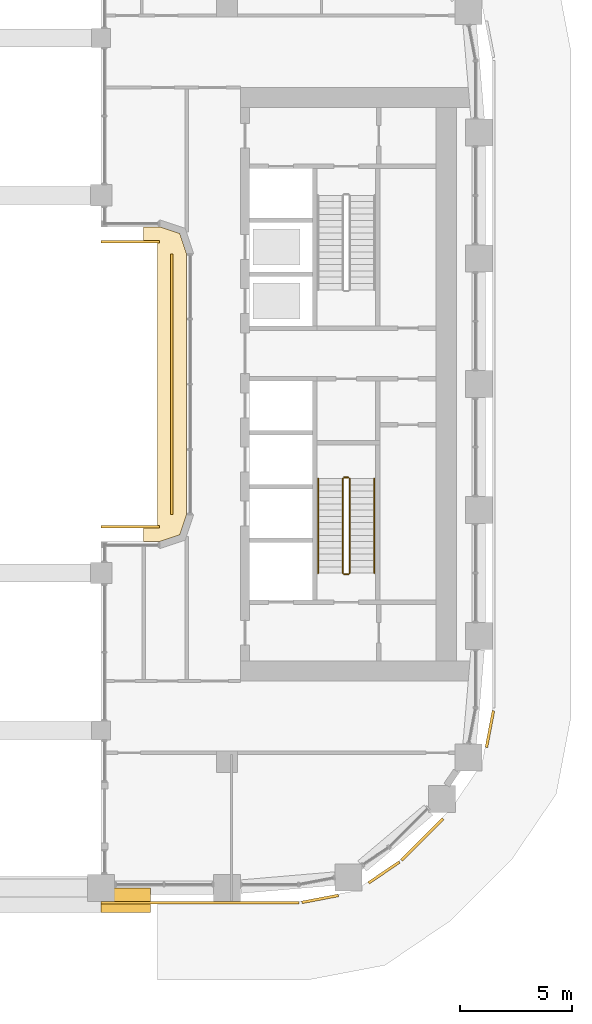
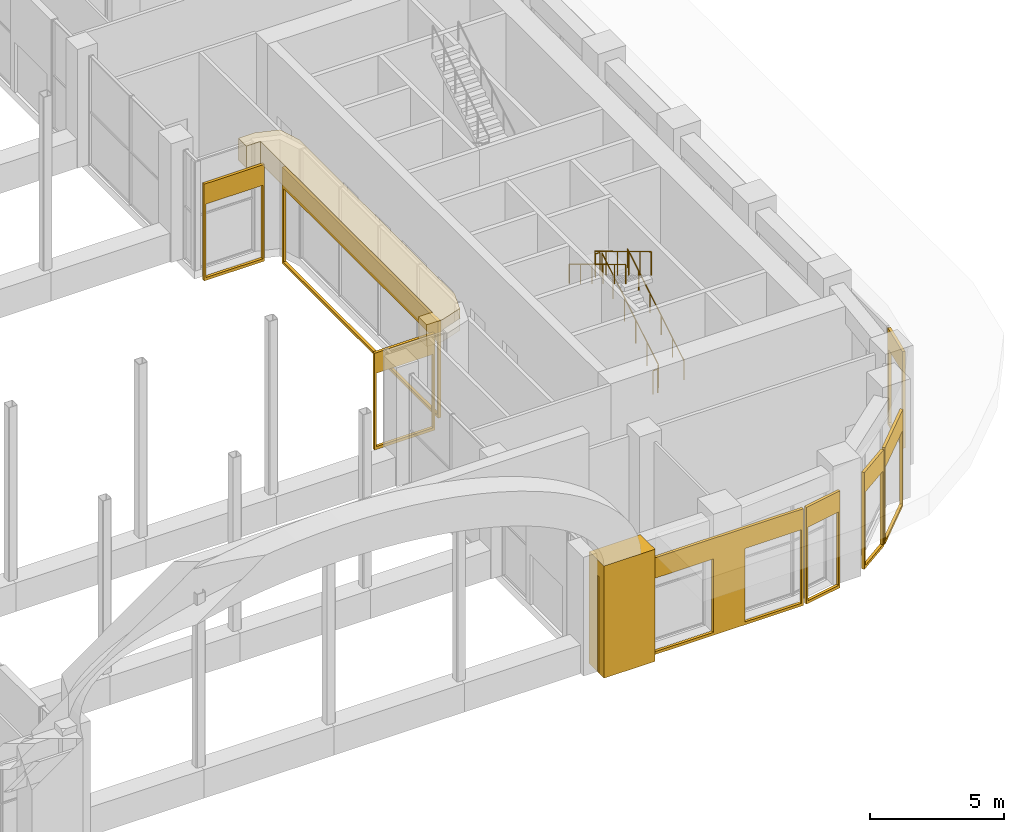
# One storey, part 24 of 28: 10 coverings, 6 railings.
"""IFC4 building model written with IfcOpenShell, lengths in metres."""

from ifc_helpers import new_model, si_unit, direction, frame, origin, origin_2d, place, context, subcontext, project, spatial, polyline, rectangle, circle, outline, extrude, material, layer, layer_set, type_object, element, save


model = new_model("IFC4")

# Units and contexts
model_context = context("Model", 3, precision=1e-05, world=origin(), true_north=direction((0.0, 1.0)))
body_context = subcontext(model_context, "Body", "Model", "MODEL_VIEW")
ifc_project = project(units=[si_unit("LENGTHUNIT", "METRE"), si_unit("AREAUNIT", "SQUARE_METRE"), si_unit("VOLUMEUNIT", "CUBIC_METRE"), si_unit("PLANEANGLEUNIT", "RADIAN"), si_unit("MASSUNIT", "GRAM", prefix="KILO")], contexts=[model_context])

# Site, building, storey
site_placement = place(None, origin())
site = spatial("IfcSite", under=ifc_project, at=site_placement, CompositionType="ELEMENT")
building_placement = place(site_placement, origin())
building = spatial("IfcBuilding", under=site, at=building_placement, Name="Kiln Ring Residences", CompositionType="ELEMENT")
storey_placement = place(building_placement, frame((0.0, 0.0, 125.300048828125)))
storey = spatial("IfcBuildingStorey", under=building, at=storey_placement, Name="L32", CompositionType="ELEMENT", Elevation=125.300048828125)

# Railings
ifc_material_1 = material(Name="Stainless steel", Category="steel")
railing_type_1 = type_object("IfcRailingType", Name="CORE-STAIR-GUARD", PredefinedType="GUARDRAIL", material=ifc_material_1)
railing_1_placement = place(storey_placement, frame((22.25, -8.39990234375, 0.168701171875)))
element("IfcRailing", 1, at=railing_1_placement, inside=storey, type_object=railing_type_1, Name="L32 E-STS stair guard 1", PredefinedType="GUARDRAIL", context=body_context, shape_type="SweptSolid", body=[
    extrude(circle(Radius=0.02392578125, at=origin_2d()), frame((0.0, 0.0, 1.076171875), z_axis=(0.0, 0.856476492594, 0.516186030065), x_axis=(-1.0, 0.0, 0.0)), (0.0, 0.0, 1.0), 4.90380859375),
    extrude(circle(Radius=0.02099609375, at=origin_2d()), origin(), (0.0, 0.0, 1.0), 1.052001953125),
    extrude(circle(Radius=0.02099609375, at=origin_2d()), frame((0.0, 0.840087890625, 0.50634765625)), (0.0, 0.0, 1.0), 1.052001953125),
    extrude(circle(Radius=0.02099609375, at=origin_2d()), frame((0.0, 1.679931640625, 1.012451171875)), (0.0, 0.0, 1.0), 1.052001953125),
    extrude(circle(Radius=0.02099609375, at=origin_2d()), frame((0.0, 2.52001953125, 1.518798828125)), (0.0, 0.0, 1.0), 1.052001953125),
    extrude(circle(Radius=0.02099609375, at=origin_2d()), frame((0.0, 3.35986328125, 2.02490234375)), (0.0, 0.0, 1.0), 1.052001953125),
    extrude(circle(Radius=0.02099609375, at=origin_2d()), frame((0.0, 4.199951171875, 2.53125)), (0.0, 0.0, 1.0), 1.052001953125),
])
railing_2_placement = place(storey_placement, frame((22.199951171875, -4.14990234375, 2.699951171875)))
element("IfcRailing", 2, at=railing_2_placement, inside=storey, type_object=railing_type_1, Name="L32 E-STS stair guard 2", PredefinedType="GUARDRAIL", context=body_context, shape_type="SweptSolid", body=[
    extrude(circle(Radius=0.02392578125, at=origin_2d()), frame((0.0, 0.0, 1.076171875), z_axis=(-1.0, 0.0, 0.0), x_axis=(0.0, -1.0, 0.0)), (0.0, 0.0, 1.0), 0.199951171875),
    extrude(circle(Radius=0.02099609375, at=origin_2d()), origin(), (0.0, 0.0, 1.0), 1.052001953125),
    extrude(circle(Radius=0.02099609375, at=origin_2d()), frame((-0.199951171875, 0.0, 0.0)), (0.0, 0.0, 1.0), 1.052001953125),
])
railing_3_placement = place(storey_placement, frame((21.949951171875, -4.199951171875, 2.86865234375)))
element("IfcRailing", 3, at=railing_3_placement, inside=storey, type_object=railing_type_1, Name="L32 E-STS stair guard 3", PredefinedType="GUARDRAIL", context=body_context, shape_type="SweptSolid", body=[
    extrude(circle(Radius=0.02392578125, at=origin_2d()), frame((0.0, 0.0, 1.076171875), z_axis=(0.0, -0.856476492594, 0.516186030065), x_axis=(1.0, 0.0, 0.0)), (0.0, 0.0, 1.0), 4.90380859375),
    extrude(circle(Radius=0.02099609375, at=origin_2d()), origin(), (0.0, 0.0, 1.0), 1.052001953125),
    extrude(circle(Radius=0.02099609375, at=origin_2d()), frame((0.0, -0.840087890625, 0.50634765625)), (0.0, 0.0, 1.0), 1.052001953125),
    extrude(circle(Radius=0.02099609375, at=origin_2d()), frame((0.0, -1.679931640625, 1.012451171875)), (0.0, 0.0, 1.0), 1.052001953125),
    extrude(circle(Radius=0.02099609375, at=origin_2d()), frame((0.0, -2.52001953125, 1.518798828125)), (0.0, 0.0, 1.0), 1.052001953125),
    extrude(circle(Radius=0.02099609375, at=origin_2d()), frame((0.0, -3.35986328125, 2.02490234375)), (0.0, 0.0, 1.0), 1.052001953125),
    extrude(circle(Radius=0.02099609375, at=origin_2d()), frame((0.0, -4.199951171875, 2.53125)), (0.0, 0.0, 1.0), 1.052001953125),
])
railing_4_placement = place(storey_placement, frame((22.199951171875, -8.449951171875, 0.0)))
element("IfcRailing", 4, at=railing_4_placement, inside=storey, type_object=railing_type_1, Name="L32 E-STS stair guard 4", PredefinedType="GUARDRAIL", context=body_context, shape_type="SweptSolid", body=[
    extrude(circle(Radius=0.02392578125, at=origin_2d()), frame((0.0, 0.0, 1.076171875), z_axis=(-1.0, 0.0, 0.0), x_axis=(0.0, -1.0, 0.0)), (0.0, 0.0, 1.0), 0.199951171875),
    extrude(circle(Radius=0.02099609375, at=origin_2d()), origin(), (0.0, 0.0, 1.0), 1.052001953125),
    extrude(circle(Radius=0.02099609375, at=origin_2d()), frame((-0.199951171875, 0.0, 0.0)), (0.0, 0.0, 1.0), 1.052001953125),
])
ifc_material_2 = material(Name="Stainless steel", Category="steel")
railing_type_2 = type_object("IfcRailingType", Name="CORE-STAIR-HANDRAIL", PredefinedType="HANDRAIL", material=ifc_material_2)
railing_5_placement = place(storey_placement, frame((23.35009765625, -8.39990234375, 0.168701171875)))
element("IfcRailing", 5, at=railing_5_placement, inside=storey, type_object=railing_type_2, Name="L32 E-STS stair handrail 1", PredefinedType="HANDRAIL", context=body_context, shape_type="SweptSolid", body=[
    extrude(circle(Radius=0.02392578125, at=origin_2d()), frame((0.0, 0.0, 0.8759765625), z_axis=(0.0, 0.856476492594, 0.516186030065), x_axis=(-1.0, 0.0, 0.0)), (0.0, 0.0, 1.0), 4.90380859375),
    extrude(circle(Radius=0.02099609375, at=origin_2d()), origin(), (0.0, 0.0, 1.0), 0.851806640625),
    extrude(circle(Radius=0.02099609375, at=origin_2d()), frame((0.0, 0.840087890625, 0.50634765625)), (0.0, 0.0, 1.0), 0.851806640625),
    extrude(circle(Radius=0.02099609375, at=origin_2d()), frame((0.0, 1.679931640625, 1.012451171875)), (0.0, 0.0, 1.0), 0.851806640625),
    extrude(circle(Radius=0.02099609375, at=origin_2d()), frame((0.0, 2.52001953125, 1.518798828125)), (0.0, 0.0, 1.0), 0.851806640625),
    extrude(circle(Radius=0.02099609375, at=origin_2d()), frame((0.0, 3.35986328125, 2.02490234375)), (0.0, 0.0, 1.0), 0.851806640625),
    extrude(circle(Radius=0.02099609375, at=origin_2d()), frame((0.0, 4.199951171875, 2.53125)), (0.0, 0.0, 1.0), 0.851806640625),
])
railing_6_placement = place(storey_placement, frame((20.85009765625, -4.199951171875, 2.86865234375)))
element("IfcRailing", 6, at=railing_6_placement, inside=storey, type_object=railing_type_2, Name="L32 E-STS stair handrail 2", PredefinedType="HANDRAIL", context=body_context, shape_type="SweptSolid", body=[
    extrude(circle(Radius=0.02392578125, at=origin_2d()), frame((0.0, 0.0, 0.8759765625), z_axis=(0.0, -0.856476492594, 0.516186030065), x_axis=(1.0, 0.0, 0.0)), (0.0, 0.0, 1.0), 4.90380859375),
    extrude(circle(Radius=0.02099609375, at=origin_2d()), origin(), (0.0, 0.0, 1.0), 0.851806640625),
    extrude(circle(Radius=0.02099609375, at=origin_2d()), frame((0.0, -0.840087890625, 0.50634765625)), (0.0, 0.0, 1.0), 0.851806640625),
    extrude(circle(Radius=0.02099609375, at=origin_2d()), frame((0.0, -1.679931640625, 1.012451171875)), (0.0, 0.0, 1.0), 0.851806640625),
    extrude(circle(Radius=0.02099609375, at=origin_2d()), frame((0.0, -2.52001953125, 1.518798828125)), (0.0, 0.0, 1.0), 0.851806640625),
    extrude(circle(Radius=0.02099609375, at=origin_2d()), frame((0.0, -3.35986328125, 2.02490234375)), (0.0, 0.0, 1.0), 0.851806640625),
    extrude(circle(Radius=0.02099609375, at=origin_2d()), frame((0.0, -4.199951171875, 2.53125)), (0.0, 0.0, 1.0), 0.851806640625),
])

# Coverings
ifc_material_3 = material(Name="Concrete C35/45, exposed aggregate finish", Category="concrete")
covering_type_1 = type_object("IfcCoveringType", Name="PORTAL JAMB 1400 x 700", PredefinedType="CLADDING", material=ifc_material_3)
covering_1_placement = place(storey_placement, frame((12.300048828125, -22.949951171875, 0.0), z_axis=(0.0, 0.0, 1.0), x_axis=(1.0, 0.0, 0.0)))
element("IfcCovering", 7, at=covering_1_placement, inside=storey, type_object=covering_type_1, Name="PORTAL JAMB L32", PredefinedType="CLADDING", context=body_context, shape_type="SweptSolid", body=[
    extrude(rectangle(XDim=2.199951171875, YDim=1.10009765625, at=origin_2d()), origin(), (0.0, 0.0, 1.0), 5.10009765625),
])
ifc_material_4 = material(Name="Brick masonry, dark clay brick", Category="masonry")
ifc_layer_1 = layer(ifc_material_4, 0.1201171875)
ifc_layer_set_1 = layer_set([ifc_layer_1], Name="RAINSCREEN PANEL 120")
covering_type_2 = type_object("IfcCoveringType", Name="RAINSCREEN PANEL 120", PredefinedType="CLADDING", material=ifc_layer_set_1)
covering_2_placement = place(storey_placement, frame((13.800048828125, -6.340087890625, 0.0), z_axis=(0.0, 0.0, 1.0), x_axis=(-1.0, 0.0, 0.0)))
element("IfcCovering", 8, at=covering_2_placement, inside=storey, type_object=covering_type_2, Name="RAINSCREEN L32", PredefinedType="CLADDING", context=body_context, shape_type="SweptSolid", body=[
    extrude(outline(polyline([(0.0, 0.0), (2.60009765625, 0.0), (2.60009765625, 4.39990234375), (0.0, 4.39990234375), (0.0, 0.0)]), holes=[polyline([(0.080078125, 3.469970703125), (0.080078125, 0.1298828125), (2.52001953125, 0.1298828125), (2.52001953125, 3.469970703125), (0.080078125, 3.469970703125)])]), frame((0.0, 0.06005859375, 0.0), z_axis=(0.0, -1.0, 0.0), x_axis=(1.0, 0.0, 0.0)), (0.0, 0.0, 1.0), 0.1201171875),
])
covering_3_placement = place(storey_placement, frame((11.199951171875, -23.06005859375, 0.0), z_axis=(0.0, 0.0, 1.0), x_axis=(1.0, 0.0, 0.0)))
element("IfcCovering", 9, at=covering_3_placement, inside=storey, type_object=covering_type_2, Name="RAINSCREEN L32", PredefinedType="CLADDING", context=body_context, shape_type="SweptSolid", body=[
    extrude(outline(polyline([(0.0, 0.0), (8.800048828125, 0.0), (8.800048828125, 4.39990234375), (0.0, 4.39990234375), (0.0, 0.0)]), holes=[polyline([(4.919921875, 3.469970703125), (0.679931640625, 3.469970703125), (0.679931640625, 0.1298828125), (4.919921875, 0.1298828125), (4.919921875, 3.469970703125)]), polyline([(8.719970703125, 3.469970703125), (6.280029296875, 3.469970703125), (6.280029296875, 0.1298828125), (8.719970703125, 0.1298828125), (8.719970703125, 3.469970703125)])]), frame((0.0, 0.06005859375, 0.0), z_axis=(0.0, -1.0, 0.0), x_axis=(1.0, 0.0, 0.0)), (0.0, 0.0, 1.0), 0.1201171875),
])
covering_4_placement = place(storey_placement, frame((20.123779296875, -23.04833984375, 0.0), z_axis=(0.0, 0.0, 1.0), x_axis=(0.98228820662, 0.187376303559, 0.0)))
element("IfcCovering", 10, at=covering_4_placement, inside=storey, type_object=covering_type_2, Name="RAINSCREEN L32", PredefinedType="CLADDING", context=body_context, shape_type="SweptSolid", body=[
    extrude(outline(polyline([(0.0, 0.0), (1.65625, 0.0), (1.65625, 4.39990234375), (0.0, 4.39990234375), (0.0, 0.0)]), holes=[polyline([(0.080078125, 3.469970703125), (0.080078125, 0.1298828125), (1.576171875, 0.1298828125), (1.576171875, 3.469970703125), (0.080078125, 3.469970703125)])]), frame((0.0, 0.06005859375, 0.0), z_axis=(0.0, -1.0, 0.0), x_axis=(1.0, 0.0, 0.0)), (0.0, 0.0, 1.0), 0.1201171875),
])
covering_5_placement = place(storey_placement, frame((23.098388671875, -22.1796875, 0.0), z_axis=(0.0, 0.0, 1.0), x_axis=(0.827049873329, 0.562128550268, 0.0)))
element("IfcCovering", 11, at=covering_5_placement, inside=storey, type_object=covering_type_2, Name="RAINSCREEN L32", PredefinedType="CLADDING", context=body_context, shape_type="SweptSolid", body=[
    extrude(outline(polyline([(0.0, 0.0), (1.656005859375, 0.0), (1.656005859375, 4.39990234375), (0.0, 4.39990234375), (0.0, 0.0)]), holes=[polyline([(0.080078125, 3.469970703125), (0.080078125, 0.1298828125), (1.576171875, 0.1298828125), (1.576171875, 3.469970703125), (0.080078125, 3.469970703125)])]), frame((0.0, 0.06005859375, 0.0), z_axis=(0.0, -1.0, 0.0), x_axis=(1.0, 0.0, 0.0)), (0.0, 0.0, 1.0), 0.1201171875),
])
covering_6_placement = place(storey_placement, frame((24.563720703125, -21.169677734375, 0.0), z_axis=(0.0, 0.0, 1.0), x_axis=(0.707106781187, 0.707106781187, 0.0)))
element("IfcCovering", 12, at=covering_6_placement, inside=storey, type_object=covering_type_2, Name="RAINSCREEN L32", PredefinedType="CLADDING", context=body_context, shape_type="SweptSolid", body=[
    extrude(outline(polyline([(0.0, 0.0), (2.60009765625, 0.0), (2.60009765625, 4.39990234375), (0.0, 4.39990234375), (0.0, 0.0)]), holes=[polyline([(0.080078125, 3.469970703125), (0.080078125, 0.1298828125), (2.52001953125, 0.1298828125), (2.52001953125, 3.469970703125), (0.080078125, 3.469970703125)])]), frame((0.0, 0.06005859375, 0.0), z_axis=(0.0, -1.0, 0.0), x_axis=(1.0, 0.0, 0.0)), (0.0, 0.0, 1.0), 0.1201171875),
])
covering_7_placement = place(storey_placement, frame((28.337890625, -16.150390625, 0.0), z_axis=(0.0, 0.0, 1.0), x_axis=(0.187376303559, 0.98228820662, 0.0)))
element("IfcCovering", 13, at=covering_7_placement, inside=storey, type_object=covering_type_2, Name="RAINSCREEN L32", PredefinedType="CLADDING", context=body_context, shape_type="SweptSolid", body=[
    extrude(outline(polyline([(0.0, 0.0), (1.65625, 0.0), (1.65625, 4.39990234375), (0.0, 4.39990234375), (0.0, 0.0)]), holes=[polyline([(0.080078125, 3.469970703125), (0.080078125, 0.1298828125), (1.576171875, 0.1298828125), (1.576171875, 3.469970703125), (0.080078125, 3.469970703125)])]), frame((0.0, 0.06005859375, 0.0), z_axis=(0.0, -1.0, 0.0), x_axis=(1.0, 0.0, 0.0)), (0.0, 0.0, 1.0), 0.1201171875),
])
covering_8_placement = place(storey_placement, frame((11.199951171875, 6.340087890625, 0.0), z_axis=(0.0, 0.0, 1.0), x_axis=(1.0, 0.0, 0.0)))
element("IfcCovering", 14, at=covering_8_placement, inside=storey, type_object=covering_type_2, Name="RAINSCREEN L32", PredefinedType="CLADDING", context=body_context, shape_type="SweptSolid", body=[
    extrude(outline(polyline([(0.0, 0.0), (2.60009765625, 0.0), (2.60009765625, 4.39990234375), (0.0, 4.39990234375), (0.0, 0.0)]), holes=[polyline([(0.080078125, 3.469970703125), (0.080078125, 0.1298828125), (2.52001953125, 0.1298828125), (2.52001953125, 3.469970703125), (0.080078125, 3.469970703125)])]), frame((0.0, 0.06005859375, 0.0), z_axis=(0.0, -1.0, 0.0), x_axis=(1.0, 0.0, 0.0)), (0.0, 0.0, 1.0), 0.1201171875),
])
covering_9_placement = place(storey_placement, frame((14.340087890625, 5.800048828125, 0.0), z_axis=(0.0, 0.0, 1.0), x_axis=(0.0, -1.0, 0.0)))
element("IfcCovering", 15, at=covering_9_placement, inside=storey, type_object=covering_type_2, Name="RAINSCREEN L32", PredefinedType="CLADDING", context=body_context, shape_type="SweptSolid", body=[
    extrude(outline(polyline([(0.0, 0.0), (11.60009765625, 0.0), (11.60009765625, 4.39990234375), (0.0, 4.39990234375), (0.0, 0.0)]), holes=[polyline([(0.080078125, 3.469970703125), (0.080078125, 0.1298828125), (11.52001953125, 0.1298828125), (11.52001953125, 3.469970703125), (0.080078125, 3.469970703125)])]), frame((0.0, 0.06005859375, 0.0), z_axis=(0.0, -1.0, 0.0), x_axis=(1.0, 0.0, 0.0)), (0.0, 0.0, 1.0), 0.1201171875),
])
ifc_material_5 = material(Name="Black powder-coated steel", Category="steel")
ifc_layer_2 = layer(ifc_material_5, 1.0)
ifc_layer_set_2 = layer_set([ifc_layer_2], Name="SUNSHADE FIN 3500")
covering_type_3 = type_object("IfcCoveringType", Name="SUNSHADE FIN 3500", PredefinedType="CLADDING", material=ifc_layer_set_2)
covering_10_placement = place(storey_placement, frame((0.0, 0.0, 4.39990234375)))
element("IfcCovering", 16, at=covering_10_placement, inside=storey, type_object=covering_type_3, Name="SUNSHADE FIN L32", PredefinedType="CLADDING", context=body_context, shape_type="SweptSolid", body=[
    extrude(outline(polyline([(13.090087890625, 6.39990234375), (13.699951171875, 6.39990234375), (13.699951171875, -6.39990234375), (13.090087890625, -6.39990234375), (13.090087890625, -7.0), (13.800048828125, -7.0), (14.699951171875, -6.699951171875), (15.0, -5.800048828125), (15.0, 5.800048828125), (14.699951171875, 6.699951171875), (13.800048828125, 7.0), (13.090087890625, 7.0), (13.090087890625, 6.39990234375)])), origin(), (0.0, 0.0, 1.0), 1.0),
])

save(model, "model.ifc")
